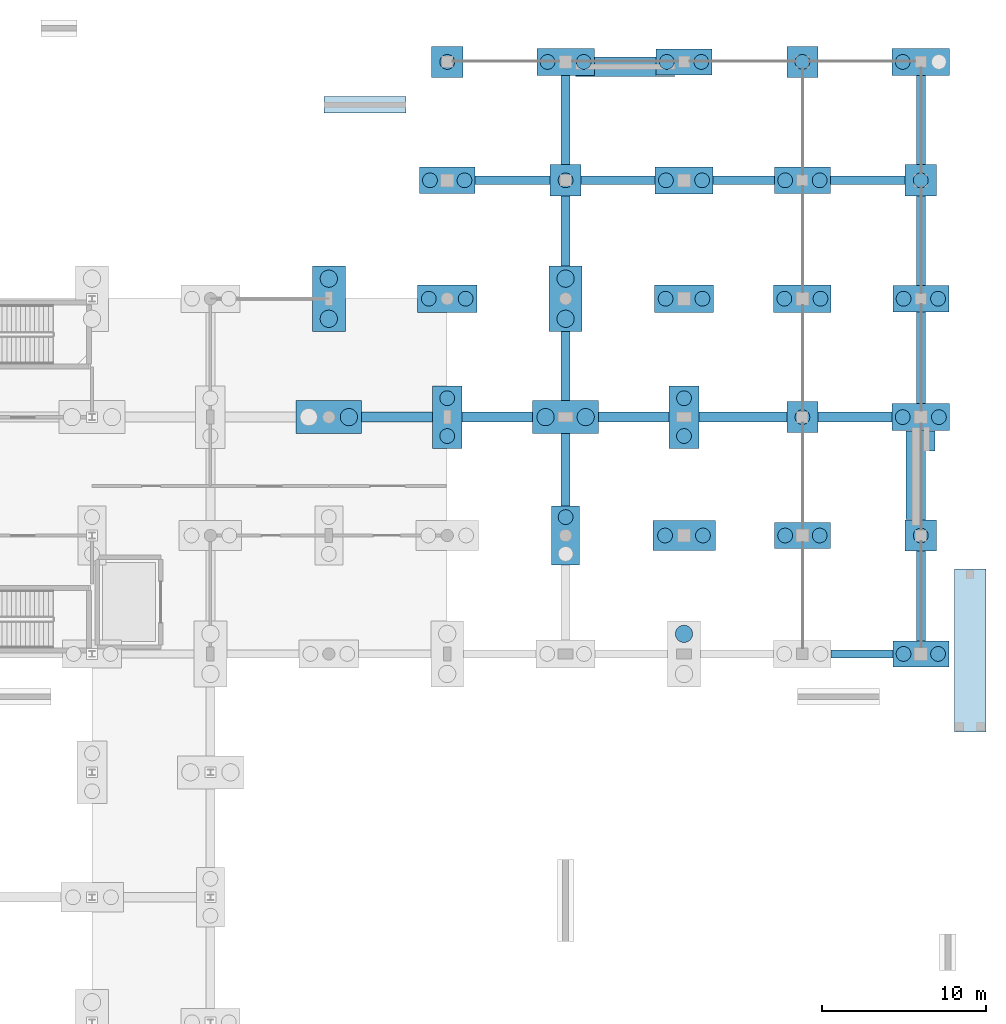
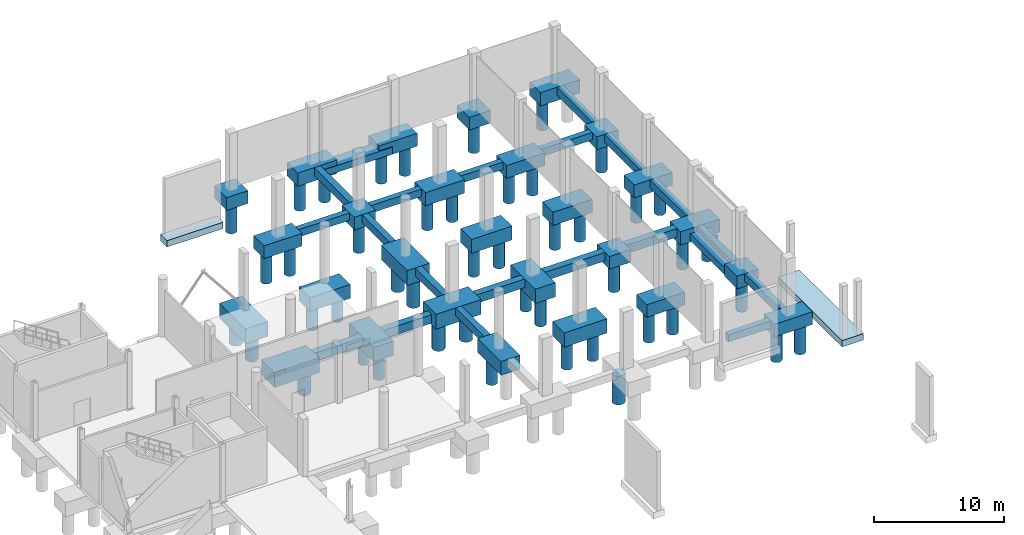
# One storey, part 12 of 61: 51 footings, 46 piles.
"""IFC4 building model written with IfcOpenShell, lengths in metres."""

from ifc_helpers import new_model, si_unit, direction, frame, origin, origin_2d, place, context, subcontext, project, spatial, polyline, rectangle, circle, outline, extrude, material, material_profile, profile_set, type_object, element, save


model = new_model("IFC4")

# Units and contexts
model_context = context("Model", 3, precision=1e-05, world=origin(), true_north=direction((0.0, 1.0)))
body_context = subcontext(model_context, "Body", "Model", "MODEL_VIEW")
ifc_project = project(units=[si_unit("LENGTHUNIT", "METRE"), si_unit("AREAUNIT", "SQUARE_METRE"), si_unit("VOLUMEUNIT", "CUBIC_METRE"), si_unit("PLANEANGLEUNIT", "RADIAN"), si_unit("MASSUNIT", "GRAM", prefix="KILO")], contexts=[model_context])

# Site, building, storey
site_placement = place(None, origin())
site = spatial("IfcSite", under=ifc_project, at=site_placement, CompositionType="ELEMENT")
building_placement = place(site_placement, origin())
building = spatial("IfcBuilding", under=site, at=building_placement, Name="Calvrana Isthmian Art Gallery", CompositionType="ELEMENT")
storey_placement = place(building_placement, frame((0.0, 0.0, -5.39990234375)))
storey = spatial("IfcBuildingStorey", under=building, at=storey_placement, Name="B1", CompositionType="ELEMENT", Elevation=-5.39990234375)

# Footings
ifc_material = material(Name="Concrete C35/45", Category="concrete")
footing_type_1 = type_object("IfcFootingType", Name="FT-PAD-APRON", PredefinedType="PAD_FOOTING", material=ifc_material)
footing_1_placement = place(storey_placement, frame((0.0, 0.0, -1.050048828125)))
element("IfcFooting", 1, at=footing_1_placement, inside=storey, type_object=footing_type_1, Name="Apron pad footing SLB_APR_EAST_BENCH", PredefinedType="PAD_FOOTING", context=body_context, shape_type="SweptSolid", body=[
    extrude(outline(polyline([(167.14990234375, 72.050048828125), (167.14990234375, 81.949951171875), (165.25, 81.949951171875), (165.25, 72.050048828125), (167.14990234375, 72.050048828125)])), origin(), (0.0, 0.0, 1.0), 0.599853515625),
])
footing_type_2 = type_object("IfcFootingType", Name="FT-PC-170X360X130", PredefinedType="PILE_CAP", material=ifc_material)
footing_2_placement = place(storey_placement, frame((141.60009765625, 84.0, -1.30029296875), z_axis=(0.0, 0.0, 1.0), x_axis=(1.0, 0.0, 0.0)))
element("IfcFooting", 2, at=footing_2_placement, inside=storey, type_object=footing_type_2, Name="Pile cap 19/L", PredefinedType="PILE_CAP", context=body_context, shape_type="SweptSolid", body=[
    extrude(rectangle(XDim=1.699951171875, YDim=3.60009765625, at=origin_2d()), origin(), (0.0, 0.0, 1.0), 1.300048828125),
])
footing_type_3 = type_object("IfcFootingType", Name="FT-PC-180X380X135", PredefinedType="PILE_CAP", material=ifc_material)
for number, where, z_axis, x_axis, name in (
    (3, (134.39990234375, 91.199951171875, -1.800048828125), (0.0, 0.0, 1.0), (1.0, 0.0, 0.0), "Pile cap 18/M"),
    (4, (148.800048828125, 91.199951171875, -1.35009765625), (0.0, 0.0, 1.0), (1.0, 0.0, 0.0), "Pile cap 20/M"),
):
    element("IfcFooting", number, at=place(storey_placement, frame(where, z_axis=z_axis, x_axis=x_axis)), inside=storey, type_object=footing_type_3, Name=name, PredefinedType="PILE_CAP", context=body_context, shape_type="SweptSolid", body=[
        extrude(rectangle(XDim=1.800048828125, YDim=3.800048828125, at=origin_2d()), origin(), (0.0, 0.0, 1.0), 1.35009765625),
    ])
footing_type_4 = type_object("IfcFootingType", Name="FT-PC-190X190X120", PredefinedType="PILE_CAP", material=ifc_material)
for number, where, z_axis, x_axis, name in (
    (5, (134.39990234375, 112.800048828125, -1.2001953125), (0.0, 0.0, 1.0), (1.0, 0.0, 0.0), "Pile cap 18/P"),
    (6, (141.60009765625, 105.60009765625, -1.2001953125), (0.0, 0.0, 1.0), (1.0, 0.0, 0.0), "Pile cap 19/O"),
    (7, (156.0, 91.199951171875, -1.2001953125), (0.0, 0.0, 1.0), (1.0, 0.0, 0.0), "Pile cap 21/M"),
    (8, (156.0, 112.800048828125, -1.2001953125), (0.0, 0.0, 1.0), (1.0, 0.0, 0.0), "Pile cap 21/P"),
    (9, (163.199951171875, 84.0, -1.2001953125), (0.0, 0.0, 1.0), (1.0, 0.0, 0.0), "Pile cap 22/L"),
    (10, (163.199951171875, 105.60009765625, -1.2001953125), (0.0, 0.0, 1.0), (1.0, 0.0, 0.0), "Pile cap 22/O"),
):
    element("IfcFooting", number, at=place(storey_placement, frame(where, z_axis=z_axis, x_axis=x_axis)), inside=storey, type_object=footing_type_4, Name=name, PredefinedType="PILE_CAP", context=body_context, shape_type="SweptSolid", body=[
        extrude(rectangle(XDim=1.89990234375, YDim=1.89990234375, at=origin_2d()), origin(), (0.0, 0.0, 1.0), 1.199951171875),
    ])
footing_type_5 = type_object("IfcFootingType", Name="FT-PC-200X400X140", PredefinedType="PILE_CAP", material=ifc_material)
for number, where, z_axis, x_axis, name in (
    (11, (127.199951171875, 98.39990234375, -1.85009765625), (0.0, 0.0, 1.0), (1.0, 0.0, 0.0), "Pile cap 17/N"),
    (12, (141.60009765625, 98.39990234375, -1.400146484375), (0.0, 0.0, 1.0), (1.0, 0.0, 0.0), "Pile cap 19/N"),
):
    element("IfcFooting", number, at=place(storey_placement, frame(where, z_axis=z_axis, x_axis=x_axis)), inside=storey, type_object=footing_type_5, Name=name, PredefinedType="PILE_CAP", context=body_context, shape_type="SweptSolid", body=[
        extrude(rectangle(XDim=2.0, YDim=4.0, at=origin_2d()), origin(), (0.0, 0.0, 1.0), 1.39990234375),
    ])
footing_type_6 = type_object("IfcFootingType", Name="FT-PC-340X160X120", PredefinedType="PILE_CAP", material=ifc_material)
for number, where, z_axis, x_axis, name in (
    (13, (134.39990234375, 105.60009765625, -1.2001953125), (0.0, 0.0, 1.0), (1.0, 0.0, 0.0), "Pile cap 18/O"),
    (14, (148.800048828125, 112.800048828125, -1.2001953125), (0.0, 0.0, 1.0), (1.0, 0.0, 0.0), "Pile cap 20/P"),
    (15, (156.0, 84.0, -1.2001953125), (0.0, 0.0, 1.0), (1.0, 0.0, 0.0), "Pile cap 21/L"),
    (16, (156.0, 105.60009765625, -1.2001953125), (0.0, 0.0, 1.0), (1.0, 0.0, 0.0), "Pile cap 21/O"),
    (17, (163.199951171875, 76.800048828125, -1.2001953125), (0.0, 0.0, 1.0), (1.0, 0.0, 0.0), "Pile cap 22/K"),
    (18, (163.199951171875, 98.39990234375, -1.2001953125), (0.0, 0.0, 1.0), (1.0, 0.0, 0.0), "Pile cap 22/N"),
):
    element("IfcFooting", number, at=place(storey_placement, frame(where, z_axis=z_axis, x_axis=x_axis)), inside=storey, type_object=footing_type_6, Name=name, PredefinedType="PILE_CAP", context=body_context, shape_type="SweptSolid", body=[
        extrude(rectangle(XDim=3.39990234375, YDim=1.60009765625, at=origin_2d()), origin(), (0.0, 0.0, 1.0), 1.199951171875),
    ])
footing_type_7 = type_object("IfcFootingType", Name="FT-PC-350X165X125", PredefinedType="PILE_CAP", material=ifc_material)
for number, where, z_axis, x_axis, name in (
    (19, (141.60009765625, 112.800048828125, -1.25), (0.0, 0.0, 1.0), (1.0, 0.0, 0.0), "Pile cap 19/P"),
    (20, (148.800048828125, 105.60009765625, -1.25), (0.0, 0.0, 1.0), (1.0, 0.0, 0.0), "Pile cap 20/O"),
    (21, (156.0, 98.39990234375, -1.25), (0.0, 0.0, 1.0), (1.0, 0.0, 0.0), "Pile cap 21/N"),
    (22, (163.199951171875, 91.199951171875, -1.25), (0.0, 0.0, 1.0), (1.0, 0.0, 0.0), "Pile cap 22/M"),
    (23, (163.199951171875, 112.800048828125, -1.25), (0.0, 0.0, 1.0), (1.0, 0.0, 0.0), "Pile cap 22/P"),
):
    element("IfcFooting", number, at=place(storey_placement, frame(where, z_axis=z_axis, x_axis=x_axis)), inside=storey, type_object=footing_type_7, Name=name, PredefinedType="PILE_CAP", context=body_context, shape_type="SweptSolid", body=[
        extrude(rectangle(XDim=3.5, YDim=1.64990234375, at=origin_2d()), origin(), (0.0, 0.0, 1.0), 1.25),
    ])
footing_type_8 = type_object("IfcFootingType", Name="FT-PC-360X170X130", PredefinedType="PILE_CAP", material=ifc_material)
for number, where, z_axis, x_axis, name in (
    (24, (134.39990234375, 98.39990234375, -1.75), (0.0, 0.0, 1.0), (1.0, 0.0, 0.0), "Pile cap 18/N"),
    (25, (148.800048828125, 98.39990234375, -1.30029296875), (0.0, 0.0, 1.0), (1.0, 0.0, 0.0), "Pile cap 20/N"),
):
    element("IfcFooting", number, at=place(storey_placement, frame(where, z_axis=z_axis, x_axis=x_axis)), inside=storey, type_object=footing_type_8, Name=name, PredefinedType="PILE_CAP", context=body_context, shape_type="SweptSolid", body=[
        extrude(rectangle(XDim=3.60009765625, YDim=1.699951171875, at=origin_2d()), origin(), (0.0, 0.0, 1.0), 1.300048828125),
    ])
footing_type_9 = type_object("IfcFootingType", Name="FT-PC-380X180X135", PredefinedType="PILE_CAP", material=ifc_material)
footing_3_placement = place(storey_placement, frame((148.800048828125, 84.0, -1.35009765625), z_axis=(0.0, 0.0, 1.0), x_axis=(1.0, 0.0, 0.0)))
element("IfcFooting", 26, at=footing_3_placement, inside=storey, type_object=footing_type_9, Name="Pile cap 20/L", PredefinedType="PILE_CAP", context=body_context, shape_type="SweptSolid", body=[
    extrude(rectangle(XDim=3.800048828125, YDim=1.800048828125, at=origin_2d()), origin(), (0.0, 0.0, 1.0), 1.35009765625),
])
footing_type_10 = type_object("IfcFootingType", Name="FT-PC-400X200X140", PredefinedType="PILE_CAP", material=ifc_material)
for number, where, z_axis, x_axis, name in (
    (27, (127.199951171875, 91.199951171875, -1.85009765625), (0.0, 0.0, 1.0), (1.0, 0.0, 0.0), "Pile cap 17/M"),
    (28, (141.60009765625, 91.199951171875, -1.400146484375), (0.0, 0.0, 1.0), (1.0, 0.0, 0.0), "Pile cap 19/M"),
):
    element("IfcFooting", number, at=place(storey_placement, frame(where, z_axis=z_axis, x_axis=x_axis)), inside=storey, type_object=footing_type_10, Name=name, PredefinedType="PILE_CAP", context=body_context, shape_type="SweptSolid", body=[
        extrude(rectangle(XDim=4.0, YDim=2.0, at=origin_2d()), origin(), (0.0, 0.0, 1.0), 1.39990234375),
    ])
footing_type_11 = type_object("IfcFootingType", Name="FT-SF-1000X600", PredefinedType="STRIP_FOOTING", material=ifc_material)
footing_4_placement = place(storey_placement, frame((0.0, 0.0, -1.050048828125)))
element("IfcFooting", 29, at=footing_4_placement, inside=storey, type_object=footing_type_11, Name="Apron grade wall SLB_CYD_NE_N-B strip footing", PredefinedType="STRIP_FOOTING", context=body_context, shape_type="SweptSolid", body=[
    extrude(outline(polyline([(126.89990234375, 109.699951171875), (131.89990234375, 109.699951171875), (131.89990234375, 110.699951171875), (126.89990234375, 110.699951171875), (126.89990234375, 109.699951171875)])), origin(), (0.0, 0.0, 1.0), 0.599853515625),
])
footing_5_placement = place(storey_placement, frame((0.0, 0.0, -1.050048828125)))
element("IfcFooting", 30, at=footing_5_placement, inside=storey, type_object=footing_type_11, Name="Apron grade wall SLB_APR_EAST-C strip footing", PredefinedType="STRIP_FOOTING", context=body_context, shape_type="SweptSolid", body=[
    extrude(outline(polyline([(163.489990234375, 89.139892578125), (163.489990234375, 90.360107421875), (164.050048828125, 90.360107421875), (164.050048828125, 89.139892578125), (163.489990234375, 89.139892578125)])), origin(), (0.0, 0.0, 1.0), 0.599853515625),
])
footing_type_12 = type_object("IfcFootingType", Name="FT-SF-1200X650", PredefinedType="STRIP_FOOTING", material=ifc_material)
footing_6_placement = place(storey_placement, frame((0.0, 0.0, -1.10009765625)))
element("IfcFooting", 31, at=footing_6_placement, inside=storey, type_object=footing_type_12, Name="Hillside plinth retaining wall RW_B1_EAST_N strip footing", PredefinedType="STRIP_FOOTING", context=body_context, shape_type="SweptSolid", body=[
    extrude(outline(polyline([(162.300048828125, 84.965087890625), (162.300048828125, 90.360107421875), (162.909912109375, 90.360107421875), (162.909912109375, 84.965087890625), (162.300048828125, 84.965087890625)])), origin(), (0.0, 0.0, 1.0), 0.64990234375),
])
footing_7_placement = place(storey_placement, frame((0.0, 0.0, -1.10009765625)))
element("IfcFooting", 32, at=footing_7_placement, inside=storey, type_object=footing_type_12, Name="Hillside plinth retaining wall RW_B1_NORTH_E strip footing", PredefinedType="STRIP_FOOTING", context=body_context, shape_type="SweptSolid", body=[
    extrude(outline(polyline([(148.2548828125, 111.89990234375), (142.195068359375, 111.89990234375), (142.195068359375, 111.9599609375), (143.364990234375, 111.9599609375), (143.364990234375, 113.10009765625), (147.0849609375, 113.10009765625), (147.0849609375, 111.985107421875), (148.2548828125, 111.985107421875), (148.2548828125, 111.89990234375)])), origin(), (0.0, 0.0, 1.0), 0.64990234375),
])
footing_type_13 = type_object("IfcFootingType", Name="FT-TB-500X700", PredefinedType="FOOTING_BEAM", material=ifc_material)
footing_8_placement = place(storey_placement, frame((0.0, 0.0, -0.7001953125)))
element("IfcFooting", 33, at=footing_8_placement, inside=storey, type_object=footing_type_13, Name="Footing tie beam X 17-14", PredefinedType="FOOTING_BEAM", context=body_context, shape_type="SweptSolid", body=[
    extrude(outline(polyline([(136.10009765625, 105.35009765625), (140.64990234375, 105.35009765625), (140.64990234375, 105.85009765625), (136.10009765625, 105.85009765625), (136.10009765625, 105.35009765625)])), origin(), (0.0, 0.0, 1.0), 0.7001953125),
])
footing_9_placement = place(storey_placement, frame((0.0, 0.0, -0.7001953125)))
element("IfcFooting", 34, at=footing_9_placement, inside=storey, type_object=footing_type_13, Name="Footing tie beam X 18-14", PredefinedType="FOOTING_BEAM", context=body_context, shape_type="SweptSolid", body=[
    extrude(outline(polyline([(142.550048828125, 105.35009765625), (147.050048828125, 105.35009765625), (147.050048828125, 105.85009765625), (142.550048828125, 105.85009765625), (142.550048828125, 105.35009765625)])), origin(), (0.0, 0.0, 1.0), 0.7001953125),
])
footing_10_placement = place(storey_placement, frame((0.0, 0.0, -0.7001953125)))
element("IfcFooting", 35, at=footing_10_placement, inside=storey, type_object=footing_type_13, Name="Footing tie beam X 19-14", PredefinedType="FOOTING_BEAM", context=body_context, shape_type="SweptSolid", body=[
    extrude(outline(polyline([(150.550048828125, 105.35009765625), (154.300048828125, 105.35009765625), (154.300048828125, 105.85009765625), (150.550048828125, 105.85009765625), (150.550048828125, 105.35009765625)])), origin(), (0.0, 0.0, 1.0), 0.7001953125),
])
footing_11_placement = place(storey_placement, frame((0.0, 0.0, -0.7001953125)))
element("IfcFooting", 36, at=footing_11_placement, inside=storey, type_object=footing_type_13, Name="Footing tie beam X 20-10", PredefinedType="FOOTING_BEAM", context=body_context, shape_type="SweptSolid", body=[
    extrude(outline(polyline([(157.75, 76.550048828125), (161.5, 76.550048828125), (161.5, 77.050048828125), (157.75, 77.050048828125), (157.75, 76.550048828125)])), origin(), (0.0, 0.0, 1.0), 0.7001953125),
])
footing_12_placement = place(storey_placement, frame((0.0, 0.0, -0.7001953125)))
element("IfcFooting", 37, at=footing_12_placement, inside=storey, type_object=footing_type_13, Name="Footing tie beam X 20-14", PredefinedType="FOOTING_BEAM", context=body_context, shape_type="SweptSolid", body=[
    extrude(outline(polyline([(157.699951171875, 105.35009765625), (162.25, 105.35009765625), (162.25, 105.85009765625), (157.699951171875, 105.85009765625), (157.699951171875, 105.35009765625)])), origin(), (0.0, 0.0, 1.0), 0.7001953125),
])
footing_type_14 = type_object("IfcFootingType", Name="FT-TB-550X750", PredefinedType="FOOTING_BEAM", material=ifc_material)
footing_13_placement = place(storey_placement, frame((0.0, 0.0, -0.75)))
element("IfcFooting", 38, at=footing_13_placement, inside=storey, type_object=footing_type_14, Name="Footing tie beam Y 18-11", PredefinedType="FOOTING_BEAM", context=body_context, shape_type="SweptSolid", body=[
    extrude(outline(polyline([(141.324951171875, 85.800048828125), (141.875, 85.800048828125), (141.875, 90.199951171875), (141.324951171875, 90.199951171875), (141.324951171875, 85.800048828125)])), origin(), (0.0, 0.0, 1.0), 0.75),
])
footing_14_placement = place(storey_placement, frame((0.0, 0.0, -0.75)))
element("IfcFooting", 39, at=footing_14_placement, inside=storey, type_object=footing_type_14, Name="Footing tie beam Y 18-12", PredefinedType="FOOTING_BEAM", context=body_context, shape_type="SweptSolid", body=[
    extrude(outline(polyline([(141.324951171875, 92.199951171875), (141.875, 92.199951171875), (141.875, 96.39990234375), (141.324951171875, 96.39990234375), (141.324951171875, 92.199951171875)])), origin(), (0.0, 0.0, 1.0), 0.75),
])
footing_15_placement = place(storey_placement, frame((0.0, 0.0, -0.75)))
element("IfcFooting", 40, at=footing_15_placement, inside=storey, type_object=footing_type_14, Name="Footing tie beam Y 18-13", PredefinedType="FOOTING_BEAM", context=body_context, shape_type="SweptSolid", body=[
    extrude(outline(polyline([(141.324951171875, 100.39990234375), (141.875, 100.39990234375), (141.875, 104.64990234375), (141.324951171875, 104.64990234375), (141.324951171875, 100.39990234375)])), origin(), (0.0, 0.0, 1.0), 0.75),
])
footing_16_placement = place(storey_placement, frame((0.0, 0.0, -0.75)))
element("IfcFooting", 41, at=footing_16_placement, inside=storey, type_object=footing_type_14, Name="Footing tie beam Y 18-14", PredefinedType="FOOTING_BEAM", context=body_context, shape_type="SweptSolid", body=[
    extrude(outline(polyline([(141.324951171875, 106.550048828125), (141.875, 106.550048828125), (141.875, 111.97509765625), (141.324951171875, 111.97509765625), (141.324951171875, 106.550048828125)])), origin(), (0.0, 0.0, 1.0), 0.75),
])
footing_17_placement = place(storey_placement, frame((0.0, 0.0, -0.75)))
element("IfcFooting", 42, at=footing_17_placement, inside=storey, type_object=footing_type_14, Name="Footing tie beam Y 21-10", PredefinedType="FOOTING_BEAM", context=body_context, shape_type="SweptSolid", body=[
    extrude(outline(polyline([(162.925048828125, 77.60009765625), (163.47509765625, 77.60009765625), (163.47509765625, 83.050048828125), (162.925048828125, 83.050048828125), (162.925048828125, 77.60009765625)])), origin(), (0.0, 0.0, 1.0), 0.75),
])
footing_18_placement = place(storey_placement, frame((0.0, 0.0, -0.75)))
element("IfcFooting", 43, at=footing_18_placement, inside=storey, type_object=footing_type_14, Name="Footing tie beam Y 21-11", PredefinedType="FOOTING_BEAM", context=body_context, shape_type="SweptSolid", body=[
    extrude(outline(polyline([(162.925048828125, 84.949951171875), (163.47509765625, 84.949951171875), (163.47509765625, 90.375), (162.925048828125, 90.375), (162.925048828125, 84.949951171875)])), origin(), (0.0, 0.0, 1.0), 0.75),
])
footing_19_placement = place(storey_placement, frame((0.0, 0.0, -0.75)))
element("IfcFooting", 44, at=footing_19_placement, inside=storey, type_object=footing_type_14, Name="Footing tie beam Y 21-12", PredefinedType="FOOTING_BEAM", context=body_context, shape_type="SweptSolid", body=[
    extrude(outline(polyline([(162.925048828125, 92.02490234375), (163.47509765625, 92.02490234375), (163.47509765625, 97.60009765625), (162.925048828125, 97.60009765625), (162.925048828125, 92.02490234375)])), origin(), (0.0, 0.0, 1.0), 0.75),
])
footing_20_placement = place(storey_placement, frame((0.0, 0.0, -0.75)))
element("IfcFooting", 45, at=footing_20_placement, inside=storey, type_object=footing_type_14, Name="Footing tie beam Y 21-13", PredefinedType="FOOTING_BEAM", context=body_context, shape_type="SweptSolid", body=[
    extrude(outline(polyline([(162.925048828125, 99.199951171875), (163.47509765625, 99.199951171875), (163.47509765625, 104.64990234375), (162.925048828125, 104.64990234375), (162.925048828125, 99.199951171875)])), origin(), (0.0, 0.0, 1.0), 0.75),
])
footing_21_placement = place(storey_placement, frame((0.0, 0.0, -0.75)))
element("IfcFooting", 46, at=footing_21_placement, inside=storey, type_object=footing_type_14, Name="Footing tie beam Y 21-14", PredefinedType="FOOTING_BEAM", context=body_context, shape_type="SweptSolid", body=[
    extrude(outline(polyline([(162.925048828125, 106.550048828125), (163.47509765625, 106.550048828125), (163.47509765625, 111.97509765625), (162.925048828125, 111.97509765625), (162.925048828125, 106.550048828125)])), origin(), (0.0, 0.0, 1.0), 0.75),
])
footing_type_15 = type_object("IfcFootingType", Name="FT-TB-600X800", PredefinedType="FOOTING_BEAM", material=ifc_material)
footing_22_placement = place(storey_placement, frame((0.0, 0.0, -1.25)))
element("IfcFooting", 47, at=footing_22_placement, inside=storey, type_object=footing_type_15, Name="Footing tie beam X 16-12", PredefinedType="FOOTING_BEAM", context=body_context, shape_type="SweptSolid", body=[
    extrude(outline(polyline([(129.199951171875, 90.89990234375), (133.5, 90.89990234375), (133.5, 91.5), (129.199951171875, 91.5), (129.199951171875, 90.89990234375)])), origin(), (0.0, 0.0, 1.0), 0.7998046875),
])
footing_23_placement = place(storey_placement, frame((0.0, 0.0, -1.25)))
element("IfcFooting", 48, at=footing_23_placement, inside=storey, type_object=footing_type_15, Name="Footing tie beam X 17-12", PredefinedType="FOOTING_BEAM", context=body_context, shape_type="SweptSolid", body=[
    extrude(outline(polyline([(135.300048828125, 90.89990234375), (139.60009765625, 90.89990234375), (139.60009765625, 91.5), (135.300048828125, 91.5), (135.300048828125, 90.89990234375)])), origin(), (0.0, 0.0, 1.0), 0.7998046875),
])
footing_24_placement = place(storey_placement, frame((0.0, 0.0, -0.800048828125)))
element("IfcFooting", 49, at=footing_24_placement, inside=storey, type_object=footing_type_15, Name="Footing tie beam X 18-12", PredefinedType="FOOTING_BEAM", context=body_context, shape_type="SweptSolid", body=[
    extrude(outline(polyline([(143.60009765625, 90.89990234375), (147.89990234375, 90.89990234375), (147.89990234375, 91.5), (143.60009765625, 91.5), (143.60009765625, 90.89990234375)])), origin(), (0.0, 0.0, 1.0), 0.800048828125),
])
footing_25_placement = place(storey_placement, frame((0.0, 0.0, -0.800048828125)))
element("IfcFooting", 50, at=footing_25_placement, inside=storey, type_object=footing_type_15, Name="Footing tie beam X 19-12", PredefinedType="FOOTING_BEAM", context=body_context, shape_type="SweptSolid", body=[
    extrude(outline(polyline([(149.699951171875, 90.89990234375), (155.050048828125, 90.89990234375), (155.050048828125, 91.5), (149.699951171875, 91.5), (149.699951171875, 90.89990234375)])), origin(), (0.0, 0.0, 1.0), 0.800048828125),
])
footing_26_placement = place(storey_placement, frame((0.0, 0.0, -0.800048828125)))
element("IfcFooting", 51, at=footing_26_placement, inside=storey, type_object=footing_type_15, Name="Footing tie beam X 20-12", PredefinedType="FOOTING_BEAM", context=body_context, shape_type="SweptSolid", body=[
    extrude(outline(polyline([(156.949951171875, 90.89990234375), (161.449951171875, 90.89990234375), (161.449951171875, 91.5), (156.949951171875, 91.5), (156.949951171875, 90.89990234375)])), origin(), (0.0, 0.0, 1.0), 0.800048828125),
])

# Piles
ifc_material_profile_1 = material_profile(ifc_material, circle(Radius=0.52490234375, at=origin_2d()), Name="PILE1050D")
ifc_profile_set_1 = profile_set([ifc_material_profile_1], Name="Concrete C35/45")
pile_type_1 = type_object("IfcPileType", Name="PILE-D1050", PredefinedType="BORED", material=ifc_profile_set_1)
for number, where, z_axis, x_axis, name in (
    (52, (128.419921875, 91.199951171875, -1.75), (0.0, 0.0, -1.0), (1.0, 0.0, 0.0), "Bored pile PL-434"),
    (53, (127.199951171875, 97.179931640625, -1.75), (0.0, 0.0, -1.0), (1.0, 0.0, 0.0), "Bored pile PL-435"),
    (54, (127.199951171875, 99.6201171875, -1.75), (0.0, 0.0, -1.0), (1.0, 0.0, 0.0), "Bored pile PL-436"),
):
    element("IfcPile", number, at=place(storey_placement, frame(where, z_axis=z_axis, x_axis=x_axis)), inside=storey, type_object=pile_type_1, Name=name, PredefinedType="BORED", context=body_context, shape_type="SweptSolid", body=[
        extrude(circle(Radius=0.52490234375, at=origin_2d()), origin(), (0.0, 0.0, 1.0), 2.25),
    ])
for number, where, z_axis, x_axis, name in (
    (55, (140.3798828125, 91.199951171875, -1.300048828125), (0.0, 0.0, -1.0), (1.0, 0.0, 0.0), "Bored pile PL-495"),
    (56, (142.820068359375, 91.199951171875, -1.300048828125), (0.0, 0.0, -1.0), (1.0, 0.0, 0.0), "Bored pile PL-496"),
    (57, (141.60009765625, 97.179931640625, -1.300048828125), (0.0, 0.0, -1.0), (1.0, 0.0, 0.0), "Bored pile PL-497"),
    (58, (141.60009765625, 99.6201171875, -1.300048828125), (0.0, 0.0, -1.0), (1.0, 0.0, 0.0), "Bored pile PL-498"),
    (59, (148.800048828125, 78.02001953125, -1.300048828125), (0.0, 0.0, -1.0), (1.0, 0.0, 0.0), "Bored pile PL-517"),
):
    element("IfcPile", number, at=place(storey_placement, frame(where, z_axis=z_axis, x_axis=x_axis)), inside=storey, type_object=pile_type_1, Name=name, PredefinedType="BORED", context=body_context, shape_type="SweptSolid", body=[
        extrude(circle(Radius=0.52490234375, at=origin_2d()), origin(), (0.0, 0.0, 1.0), 2.699951171875),
    ])
ifc_material_profile_2 = material_profile(ifc_material, circle(Radius=0.449951171875, at=origin_2d()), Name="PILE900D")
ifc_profile_set_2 = profile_set([ifc_material_profile_2], Name="Concrete C35/45")
pile_type_2 = type_object("IfcPileType", Name="PILE-D900", PredefinedType="BORED", material=ifc_profile_set_2)
for number, where, z_axis, x_axis, name in (
    (60, (134.39990234375, 90.050048828125, -1.7001953125), (0.0, 0.0, -1.0), (1.0, 0.0, 0.0), "Bored pile PL-462"),
    (61, (134.39990234375, 92.35009765625, -1.7001953125), (0.0, 0.0, -1.0), (1.0, 0.0, 0.0), "Bored pile PL-463"),
):
    element("IfcPile", number, at=place(storey_placement, frame(where, z_axis=z_axis, x_axis=x_axis)), inside=storey, type_object=pile_type_2, Name=name, PredefinedType="BORED", context=body_context, shape_type="SweptSolid", body=[
        extrude(circle(Radius=0.449951171875, at=origin_2d()), origin(), (0.0, 0.0, 1.0), 2.300048828125),
    ])
for number, where, z_axis, x_axis, name in (
    (62, (133.280029296875, 98.39990234375, -1.650146484375), (0.0, 0.0, -1.0), (1.0, 0.0, 0.0), "Bored pile PL-464"),
    (63, (135.52001953125, 98.39990234375, -1.650146484375), (0.0, 0.0, -1.0), (1.0, 0.0, 0.0), "Bored pile PL-465"),
):
    element("IfcPile", number, at=place(storey_placement, frame(where, z_axis=z_axis, x_axis=x_axis)), inside=storey, type_object=pile_type_2, Name=name, PredefinedType="BORED", context=body_context, shape_type="SweptSolid", body=[
        extrude(circle(Radius=0.449951171875, at=origin_2d()), origin(), (0.0, 0.0, 1.0), 2.35009765625),
    ])
for number, where, z_axis, x_axis, name in (
    (64, (133.35009765625, 105.60009765625, -1.10009765625), (0.0, 0.0, -1.0), (1.0, 0.0, 0.0), "Bored pile PL-466"),
    (65, (135.449951171875, 105.60009765625, -1.10009765625), (0.0, 0.0, -1.0), (1.0, 0.0, 0.0), "Bored pile PL-467"),
    (66, (134.39990234375, 112.800048828125, -1.10009765625), (0.0, 0.0, -1.0), (1.0, 0.0, 0.0), "Bored pile PL-468"),
):
    element("IfcPile", number, at=place(storey_placement, frame(where, z_axis=z_axis, x_axis=x_axis)), inside=storey, type_object=pile_type_2, Name=name, PredefinedType="BORED", context=body_context, shape_type="SweptSolid", body=[
        extrude(circle(Radius=0.449951171875, at=origin_2d()), origin(), (0.0, 0.0, 1.0), 2.89990234375),
    ])
pile_1_placement = place(storey_placement, frame((141.60009765625, 85.1201171875, -1.2001953125), z_axis=(0.0, 0.0, -1.0), x_axis=(1.0, 0.0, 0.0)))
element("IfcPile", 67, at=pile_1_placement, inside=storey, type_object=pile_type_2, Name="Bored pile PL-494", PredefinedType="BORED", context=body_context, shape_type="SweptSolid", body=[
    extrude(circle(Radius=0.449951171875, at=origin_2d()), origin(), (0.0, 0.0, 1.0), 2.800048828125),
])
pile_2_placement = place(storey_placement, frame((141.60009765625, 105.60009765625, -1.10009765625), z_axis=(0.0, 0.0, -1.0), x_axis=(1.0, 0.0, 0.0)))
element("IfcPile", 68, at=pile_2_placement, inside=storey, type_object=pile_type_2, Name="Bored pile PL-499", PredefinedType="BORED", context=body_context, shape_type="SweptSolid", body=[
    extrude(circle(Radius=0.449951171875, at=origin_2d()), origin(), (0.0, 0.0, 1.0), 2.89990234375),
])
for number, where, z_axis, x_axis, name in (
    (69, (140.5, 112.800048828125, -1.150146484375), (0.0, 0.0, -1.0), (1.0, 0.0, 0.0), "Bored pile PL-500"),
    (70, (142.699951171875, 112.800048828125, -1.150146484375), (0.0, 0.0, -1.0), (1.0, 0.0, 0.0), "Bored pile PL-501"),
):
    element("IfcPile", number, at=place(storey_placement, frame(where, z_axis=z_axis, x_axis=x_axis)), inside=storey, type_object=pile_type_2, Name=name, PredefinedType="BORED", context=body_context, shape_type="SweptSolid", body=[
        extrude(circle(Radius=0.449951171875, at=origin_2d()), origin(), (0.0, 0.0, 1.0), 2.85009765625),
    ])
for number, where, z_axis, x_axis, name in (
    (71, (147.64990234375, 84.0, -1.25), (0.0, 0.0, -1.0), (1.0, 0.0, 0.0), "Bored pile PL-518"),
    (72, (149.949951171875, 84.0, -1.25), (0.0, 0.0, -1.0), (1.0, 0.0, 0.0), "Bored pile PL-519"),
    (73, (148.800048828125, 90.050048828125, -1.25), (0.0, 0.0, -1.0), (1.0, 0.0, 0.0), "Bored pile PL-520"),
    (74, (148.800048828125, 92.35009765625, -1.25), (0.0, 0.0, -1.0), (1.0, 0.0, 0.0), "Bored pile PL-521"),
):
    element("IfcPile", number, at=place(storey_placement, frame(where, z_axis=z_axis, x_axis=x_axis)), inside=storey, type_object=pile_type_2, Name=name, PredefinedType="BORED", context=body_context, shape_type="SweptSolid", body=[
        extrude(circle(Radius=0.449951171875, at=origin_2d()), origin(), (0.0, 0.0, 1.0), 2.75),
    ])
for number, where, z_axis, x_axis, name in (
    (75, (147.679931640625, 98.39990234375, -1.2001953125), (0.0, 0.0, -1.0), (1.0, 0.0, 0.0), "Bored pile PL-522"),
    (76, (149.919921875, 98.39990234375, -1.2001953125), (0.0, 0.0, -1.0), (1.0, 0.0, 0.0), "Bored pile PL-523"),
):
    element("IfcPile", number, at=place(storey_placement, frame(where, z_axis=z_axis, x_axis=x_axis)), inside=storey, type_object=pile_type_2, Name=name, PredefinedType="BORED", context=body_context, shape_type="SweptSolid", body=[
        extrude(circle(Radius=0.449951171875, at=origin_2d()), origin(), (0.0, 0.0, 1.0), 2.800048828125),
    ])
for number, where, z_axis, x_axis, name in (
    (77, (147.699951171875, 105.60009765625, -1.150146484375), (0.0, 0.0, -1.0), (1.0, 0.0, 0.0), "Bored pile PL-524"),
    (78, (149.89990234375, 105.60009765625, -1.150146484375), (0.0, 0.0, -1.0), (1.0, 0.0, 0.0), "Bored pile PL-525"),
):
    element("IfcPile", number, at=place(storey_placement, frame(where, z_axis=z_axis, x_axis=x_axis)), inside=storey, type_object=pile_type_2, Name=name, PredefinedType="BORED", context=body_context, shape_type="SweptSolid", body=[
        extrude(circle(Radius=0.449951171875, at=origin_2d()), origin(), (0.0, 0.0, 1.0), 2.85009765625),
    ])
for number, where, z_axis, x_axis, name in (
    (79, (147.75, 112.800048828125, -1.10009765625), (0.0, 0.0, -1.0), (1.0, 0.0, 0.0), "Bored pile PL-526"),
    (80, (149.85009765625, 112.800048828125, -1.10009765625), (0.0, 0.0, -1.0), (1.0, 0.0, 0.0), "Bored pile PL-527"),
    (81, (154.949951171875, 84.0, -1.10009765625), (0.0, 0.0, -1.0), (1.0, 0.0, 0.0), "Bored pile PL-543"),
    (82, (157.050048828125, 84.0, -1.10009765625), (0.0, 0.0, -1.0), (1.0, 0.0, 0.0), "Bored pile PL-544"),
    (83, (156.0, 91.199951171875, -1.10009765625), (0.0, 0.0, -1.0), (1.0, 0.0, 0.0), "Bored pile PL-545"),
):
    element("IfcPile", number, at=place(storey_placement, frame(where, z_axis=z_axis, x_axis=x_axis)), inside=storey, type_object=pile_type_2, Name=name, PredefinedType="BORED", context=body_context, shape_type="SweptSolid", body=[
        extrude(circle(Radius=0.449951171875, at=origin_2d()), origin(), (0.0, 0.0, 1.0), 2.89990234375),
    ])
for number, where, z_axis, x_axis, name in (
    (84, (154.89990234375, 98.39990234375, -1.150146484375), (0.0, 0.0, -1.0), (1.0, 0.0, 0.0), "Bored pile PL-546"),
    (85, (157.10009765625, 98.39990234375, -1.150146484375), (0.0, 0.0, -1.0), (1.0, 0.0, 0.0), "Bored pile PL-547"),
):
    element("IfcPile", number, at=place(storey_placement, frame(where, z_axis=z_axis, x_axis=x_axis)), inside=storey, type_object=pile_type_2, Name=name, PredefinedType="BORED", context=body_context, shape_type="SweptSolid", body=[
        extrude(circle(Radius=0.449951171875, at=origin_2d()), origin(), (0.0, 0.0, 1.0), 2.85009765625),
    ])
for number, where, z_axis, x_axis, name in (
    (86, (154.949951171875, 105.60009765625, -1.10009765625), (0.0, 0.0, -1.0), (1.0, 0.0, 0.0), "Bored pile PL-548"),
    (87, (157.050048828125, 105.60009765625, -1.10009765625), (0.0, 0.0, -1.0), (1.0, 0.0, 0.0), "Bored pile PL-549"),
    (88, (156.0, 112.800048828125, -1.10009765625), (0.0, 0.0, -1.0), (1.0, 0.0, 0.0), "Bored pile PL-550"),
    (89, (162.14990234375, 76.800048828125, -1.10009765625), (0.0, 0.0, -1.0), (1.0, 0.0, 0.0), "Bored pile PL-558"),
    (90, (164.25, 76.800048828125, -1.10009765625), (0.0, 0.0, -1.0), (1.0, 0.0, 0.0), "Bored pile PL-559"),
    (91, (163.199951171875, 84.0, -1.10009765625), (0.0, 0.0, -1.0), (1.0, 0.0, 0.0), "Bored pile PL-560"),
):
    element("IfcPile", number, at=place(storey_placement, frame(where, z_axis=z_axis, x_axis=x_axis)), inside=storey, type_object=pile_type_2, Name=name, PredefinedType="BORED", context=body_context, shape_type="SweptSolid", body=[
        extrude(circle(Radius=0.449951171875, at=origin_2d()), origin(), (0.0, 0.0, 1.0), 2.89990234375),
    ])
for number, where, z_axis, x_axis, name in (
    (92, (162.10009765625, 91.199951171875, -1.150146484375), (0.0, 0.0, -1.0), (1.0, 0.0, 0.0), "Bored pile PL-561"),
    (93, (164.300048828125, 91.199951171875, -1.150146484375), (0.0, 0.0, -1.0), (1.0, 0.0, 0.0), "Bored pile PL-562"),
):
    element("IfcPile", number, at=place(storey_placement, frame(where, z_axis=z_axis, x_axis=x_axis)), inside=storey, type_object=pile_type_2, Name=name, PredefinedType="BORED", context=body_context, shape_type="SweptSolid", body=[
        extrude(circle(Radius=0.449951171875, at=origin_2d()), origin(), (0.0, 0.0, 1.0), 2.85009765625),
    ])
for number, where, z_axis, x_axis, name in (
    (94, (162.14990234375, 98.39990234375, -1.10009765625), (0.0, 0.0, -1.0), (1.0, 0.0, 0.0), "Bored pile PL-563"),
    (95, (164.25, 98.39990234375, -1.10009765625), (0.0, 0.0, -1.0), (1.0, 0.0, 0.0), "Bored pile PL-564"),
    (96, (163.199951171875, 105.60009765625, -1.10009765625), (0.0, 0.0, -1.0), (1.0, 0.0, 0.0), "Bored pile PL-565"),
):
    element("IfcPile", number, at=place(storey_placement, frame(where, z_axis=z_axis, x_axis=x_axis)), inside=storey, type_object=pile_type_2, Name=name, PredefinedType="BORED", context=body_context, shape_type="SweptSolid", body=[
        extrude(circle(Radius=0.449951171875, at=origin_2d()), origin(), (0.0, 0.0, 1.0), 2.89990234375),
    ])
pile_3_placement = place(storey_placement, frame((162.10009765625, 112.800048828125, -1.150146484375), z_axis=(0.0, 0.0, -1.0), x_axis=(1.0, 0.0, 0.0)))
element("IfcPile", 97, at=pile_3_placement, inside=storey, type_object=pile_type_2, Name="Bored pile PL-566", PredefinedType="BORED", context=body_context, shape_type="SweptSolid", body=[
    extrude(circle(Radius=0.449951171875, at=origin_2d()), origin(), (0.0, 0.0, 1.0), 2.85009765625),
])

save(model, "model.ifc")
